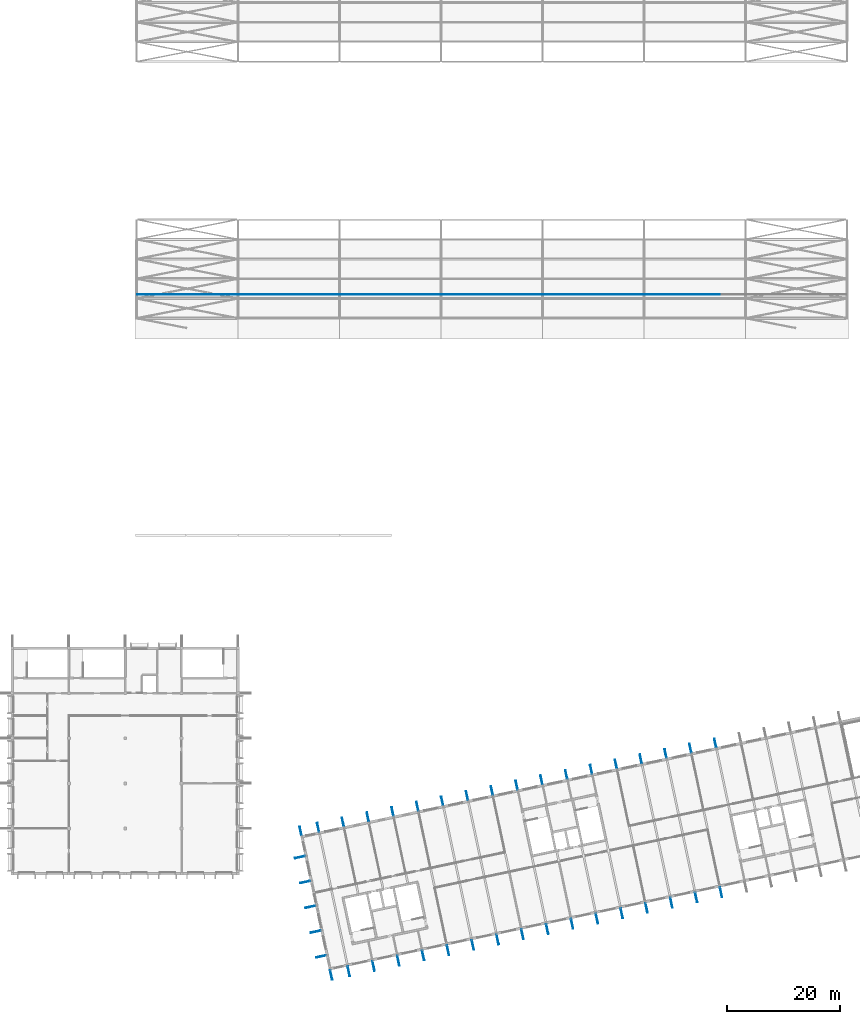
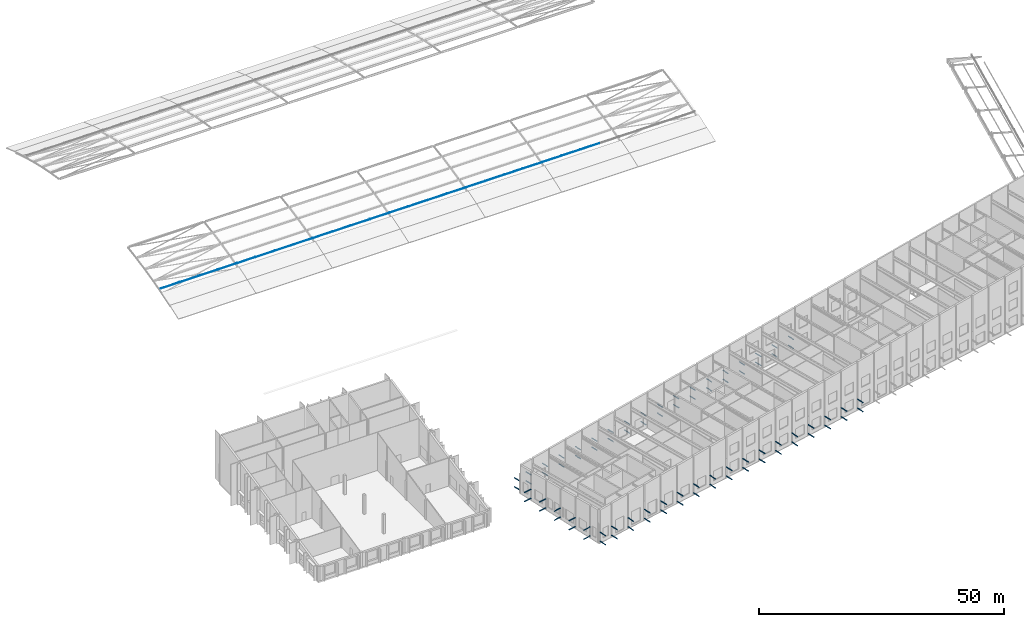
# One storey, part 52 of 69: 103 discrete accessories.
"""IFC4 building model written with IfcOpenShell, lengths in metres."""

from ifc_helpers import new_model, si_unit, direction, frame, origin, origin_2d, place, context, subcontext, project, spatial, polyline, rectangle, outline, extrude, material, material_profile, profile_set, type_object, element, save


model = new_model("IFC4")

# Units and contexts
model_context = context("Model", 3, precision=1e-05, world=origin(), true_north=direction((0.0, 1.0)))
body_context = subcontext(model_context, "Body", "Model", "MODEL_VIEW")
ifc_project = project(units=[si_unit("LENGTHUNIT", "METRE"), si_unit("AREAUNIT", "SQUARE_METRE"), si_unit("VOLUMEUNIT", "CUBIC_METRE"), si_unit("PLANEANGLEUNIT", "RADIAN"), si_unit("MASSUNIT", "GRAM", prefix="KILO")], contexts=[model_context])

# Site, building, storey
site_placement = place(None, origin())
site = spatial("IfcSite", under=ifc_project, at=site_placement, CompositionType="ELEMENT")
building_placement = place(site_placement, origin())
building = spatial("IfcBuilding", under=site, at=building_placement, Name="Okhra Congress Centre", CompositionType="ELEMENT")
storey_placement = place(building_placement, frame((0.0, 0.0, 16.800048828125)))
storey = spatial("IfcBuildingStorey", under=building, at=storey_placement, Name="L03", CompositionType="ELEMENT", Elevation=16.800048828125)

# Discrete accessories
ifc_material_1 = material(Name="Steel S355J2 outrigger, galvanised", Category="steel")
ifc_material_profile = material_profile(ifc_material_1, rectangle(XDim=0.1201171875, YDim=0.1201171875, at=origin_2d()), Name="Screen outrigger bracket 120x120")
ifc_profile_set = profile_set([ifc_material_profile], Name="Steel S355J2 outrigger, galvanised")
discrete_accessory_type_1 = type_object("IfcDiscreteAccessoryType", Name="Screen outrigger bracket 120x120", PredefinedType="BRACKET", material=ifc_profile_set)
for number, where, z_axis, x_axis, name in (
    (1, (62.352783203125, 26.86962890625, 0.510009765625), (0.207885223274, -0.97815322621, 0.0), (0.97815322621, 0.207885223274, 0.0), "Screen outrigger 5"),
    (2, (62.352783203125, 26.86962890625, 2.75), (0.207885223274, -0.97815322621, 0.0), (0.97815322621, 0.207885223274, 0.0), "Screen outrigger 6"),
):
    element("IfcDiscreteAccessory", number, at=place(storey_placement, frame(where, z_axis=z_axis, x_axis=x_axis)), inside=storey, type_object=discrete_accessory_type_1, Name=name, PredefinedType="BRACKET", context=body_context, shape_type="SweptSolid", body=[
        extrude(rectangle(XDim=0.1201171875, YDim=0.1201171875, at=origin_2d()), origin(), (0.0, 0.0, 1.0), 1.76513671875),
    ])
for number, where, z_axis, x_axis, name in (
    (3, (57.271484375, 50.775390625, 0.510009765625), (-0.207952044176, 0.978139022493, 0.0), (-0.978139022493, -0.207952044176, 0.0), "Screen outrigger 13"),
    (4, (57.271484375, 50.775390625, 2.75), (-0.207952044176, 0.978139022493, 0.0), (-0.978139022493, -0.207952044176, 0.0), "Screen outrigger 14"),
):
    element("IfcDiscreteAccessory", number, at=place(storey_placement, frame(where, z_axis=z_axis, x_axis=x_axis)), inside=storey, type_object=discrete_accessory_type_1, Name=name, PredefinedType="BRACKET", context=body_context, shape_type="SweptSolid", body=[
        extrude(rectangle(XDim=0.1201171875, YDim=0.1201171875, at=origin_2d()), origin(), (0.0, 0.0, 1.0), 1.56494140625),
    ])
for number, where, z_axis, x_axis, name in (
    (5, (65.45849609375, 27.529541015625, 0.510009765625), (0.207913352163, -0.978147247602, 0.0), (0.978147247602, 0.207913352163, 0.0), "Screen outrigger 20"),
    (6, (65.45849609375, 27.529541015625, 2.75), (0.207913352163, -0.978147247602, 0.0), (0.978147247602, 0.207913352163, 0.0), "Screen outrigger 21"),
):
    element("IfcDiscreteAccessory", number, at=place(storey_placement, frame(where, z_axis=z_axis, x_axis=x_axis)), inside=storey, type_object=discrete_accessory_type_1, Name=name, PredefinedType="BRACKET", context=body_context, shape_type="SweptSolid", body=[
        extrude(rectangle(XDim=0.1201171875, YDim=0.1201171875, at=origin_2d()), origin(), (0.0, 0.0, 1.0), 1.764892578125),
    ])
for number, where, z_axis, x_axis, name in (
    (7, (60.376953125, 51.435546875, 0.510009765625), (-0.207802780084, 0.978170744088, 0.0), (-0.978170744088, -0.207802780084, 0.0), "Screen outrigger 28"),
    (8, (60.376953125, 51.435546875, 2.75), (-0.207802780084, 0.978170744088, 0.0), (-0.978170744088, -0.207802780084, 0.0), "Screen outrigger 29"),
):
    element("IfcDiscreteAccessory", number, at=place(storey_placement, frame(where, z_axis=z_axis, x_axis=x_axis)), inside=storey, type_object=discrete_accessory_type_1, Name=name, PredefinedType="BRACKET", context=body_context, shape_type="SweptSolid", body=[
        extrude(rectangle(XDim=0.1201171875, YDim=0.1201171875, at=origin_2d()), origin(), (0.0, 0.0, 1.0), 1.56494140625),
    ])
for number, where, z_axis, x_axis, name in (
    (9, (69.860107421875, 28.46533203125, 0.510009765625), (0.207885223274, -0.97815322621, 0.0), (0.97815322621, 0.207885223274, 0.0), "Screen outrigger 35"),
    (10, (69.860107421875, 28.46533203125, 2.75), (0.207885223274, -0.97815322621, 0.0), (0.97815322621, 0.207885223274, 0.0), "Screen outrigger 36"),
):
    element("IfcDiscreteAccessory", number, at=place(storey_placement, frame(where, z_axis=z_axis, x_axis=x_axis)), inside=storey, type_object=discrete_accessory_type_1, Name=name, PredefinedType="BRACKET", context=body_context, shape_type="SweptSolid", body=[
        extrude(rectangle(XDim=0.1201171875, YDim=0.1201171875, at=origin_2d()), origin(), (0.0, 0.0, 1.0), 1.76513671875),
    ])
for number, where, z_axis, x_axis, name in (
    (11, (64.77880859375, 52.37109375, 0.510009765625), (-0.207920316953, 0.978145767152, 0.0), (-0.978145767152, -0.207920316953, 0.0), "Screen outrigger 43"),
    (12, (64.77880859375, 52.37109375, 2.75), (-0.207920316953, 0.978145767152, 0.0), (-0.978145767152, -0.207920316953, 0.0), "Screen outrigger 44"),
):
    element("IfcDiscreteAccessory", number, at=place(storey_placement, frame(where, z_axis=z_axis, x_axis=x_axis)), inside=storey, type_object=discrete_accessory_type_1, Name=name, PredefinedType="BRACKET", context=body_context, shape_type="SweptSolid", body=[
        extrude(rectangle(XDim=0.1201171875, YDim=0.1201171875, at=origin_2d()), origin(), (0.0, 0.0, 1.0), 1.565185546875),
    ])
for number, where, z_axis, x_axis, name in (
    (13, (74.26171875, 29.40087890625, 0.510009765625), (0.207885223274, -0.97815322621, 0.0), (0.97815322621, 0.207885223274, 0.0), "Screen outrigger 50"),
    (14, (74.26171875, 29.40087890625, 2.75), (0.207885223274, -0.97815322621, 0.0), (0.97815322621, 0.207885223274, 0.0), "Screen outrigger 51"),
):
    element("IfcDiscreteAccessory", number, at=place(storey_placement, frame(where, z_axis=z_axis, x_axis=x_axis)), inside=storey, type_object=discrete_accessory_type_1, Name=name, PredefinedType="BRACKET", context=body_context, shape_type="SweptSolid", body=[
        extrude(rectangle(XDim=0.1201171875, YDim=0.1201171875, at=origin_2d()), origin(), (0.0, 0.0, 1.0), 1.76513671875),
    ])
for number, where, z_axis, x_axis, name in (
    (15, (69.180419921875, 53.306884765625, 0.510009765625), (-0.207952044176, 0.978139022493, 0.0), (-0.978139022493, -0.207952044176, 0.0), "Screen outrigger 58"),
    (16, (69.180419921875, 53.306884765625, 2.75), (-0.207952044176, 0.978139022493, 0.0), (-0.978139022493, -0.207952044176, 0.0), "Screen outrigger 59"),
):
    element("IfcDiscreteAccessory", number, at=place(storey_placement, frame(where, z_axis=z_axis, x_axis=x_axis)), inside=storey, type_object=discrete_accessory_type_1, Name=name, PredefinedType="BRACKET", context=body_context, shape_type="SweptSolid", body=[
        extrude(rectangle(XDim=0.1201171875, YDim=0.1201171875, at=origin_2d()), origin(), (0.0, 0.0, 1.0), 1.56494140625),
    ])
for number, where, z_axis, x_axis, name in (
    (17, (78.663330078125, 30.33642578125, 0.510009765625), (0.207913352163, -0.978147247602, 0.0), (0.978147247602, 0.207913352163, 0.0), "Screen outrigger 65"),
    (18, (78.663330078125, 30.33642578125, 2.75), (0.207913352163, -0.978147247602, 0.0), (0.978147247602, 0.207913352163, 0.0), "Screen outrigger 66"),
):
    element("IfcDiscreteAccessory", number, at=place(storey_placement, frame(where, z_axis=z_axis, x_axis=x_axis)), inside=storey, type_object=discrete_accessory_type_1, Name=name, PredefinedType="BRACKET", context=body_context, shape_type="SweptSolid", body=[
        extrude(rectangle(XDim=0.1201171875, YDim=0.1201171875, at=origin_2d()), origin(), (0.0, 0.0, 1.0), 1.764892578125),
    ])
for number, where, z_axis, x_axis, name in (
    (19, (73.58203125, 54.242431640625, 0.510009765625), (-0.207952044176, 0.978139022493, 0.0), (-0.978139022493, -0.207952044176, 0.0), "Screen outrigger 73"),
    (20, (73.58203125, 54.242431640625, 2.75), (-0.207952044176, 0.978139022493, 0.0), (-0.978139022493, -0.207952044176, 0.0), "Screen outrigger 74"),
):
    element("IfcDiscreteAccessory", number, at=place(storey_placement, frame(where, z_axis=z_axis, x_axis=x_axis)), inside=storey, type_object=discrete_accessory_type_1, Name=name, PredefinedType="BRACKET", context=body_context, shape_type="SweptSolid", body=[
        extrude(rectangle(XDim=0.1201171875, YDim=0.1201171875, at=origin_2d()), origin(), (0.0, 0.0, 1.0), 1.56494140625),
    ])
for number, where, z_axis, x_axis, name in (
    (21, (83.06494140625, 31.27197265625, 0.510009765625), (0.208045698869, -0.978119106849, 0.0), (0.978119106849, 0.208045698869, 0.0), "Screen outrigger 80"),
    (22, (83.06494140625, 31.27197265625, 2.75), (0.208045698869, -0.978119106849, 0.0), (0.978119106849, 0.208045698869, 0.0), "Screen outrigger 81"),
):
    element("IfcDiscreteAccessory", number, at=place(storey_placement, frame(where, z_axis=z_axis, x_axis=x_axis)), inside=storey, type_object=discrete_accessory_type_1, Name=name, PredefinedType="BRACKET", context=body_context, shape_type="SweptSolid", body=[
        extrude(rectangle(XDim=0.1201171875, YDim=0.1201171875, at=origin_2d()), origin(), (0.0, 0.0, 1.0), 1.764892578125),
    ])
for number, where, z_axis, x_axis, name in (
    (23, (77.983642578125, 55.177978515625, 0.510009765625), (-0.207952044176, 0.978139022493, 0.0), (-0.978139022493, -0.207952044176, 0.0), "Screen outrigger 88"),
    (24, (77.983642578125, 55.177978515625, 2.75), (-0.207952044176, 0.978139022493, 0.0), (-0.978139022493, -0.207952044176, 0.0), "Screen outrigger 89"),
):
    element("IfcDiscreteAccessory", number, at=place(storey_placement, frame(where, z_axis=z_axis, x_axis=x_axis)), inside=storey, type_object=discrete_accessory_type_1, Name=name, PredefinedType="BRACKET", context=body_context, shape_type="SweptSolid", body=[
        extrude(rectangle(XDim=0.1201171875, YDim=0.1201171875, at=origin_2d()), origin(), (0.0, 0.0, 1.0), 1.56494140625),
    ])
for number, where, z_axis, x_axis, name in (
    (25, (87.466796875, 32.207763671875, 0.510009765625), (0.207885223274, -0.97815322621, 0.0), (0.97815322621, 0.207885223274, 0.0), "Screen outrigger 96"),
    (26, (87.466796875, 32.207763671875, 2.75), (0.207885223274, -0.97815322621, 0.0), (0.97815322621, 0.207885223274, 0.0), "Screen outrigger 97"),
):
    element("IfcDiscreteAccessory", number, at=place(storey_placement, frame(where, z_axis=z_axis, x_axis=x_axis)), inside=storey, type_object=discrete_accessory_type_1, Name=name, PredefinedType="BRACKET", context=body_context, shape_type="SweptSolid", body=[
        extrude(rectangle(XDim=0.1201171875, YDim=0.1201171875, at=origin_2d()), origin(), (0.0, 0.0, 1.0), 1.76513671875),
    ])
for number, where, z_axis, x_axis, name in (
    (27, (82.38525390625, 56.113525390625, 0.510009765625), (-0.207802780084, 0.978170744088, 0.0), (-0.978170744088, -0.207802780084, 0.0), "Screen outrigger 104"),
    (28, (82.38525390625, 56.113525390625, 2.75), (-0.207802780084, 0.978170744088, 0.0), (-0.978170744088, -0.207802780084, 0.0), "Screen outrigger 105"),
):
    element("IfcDiscreteAccessory", number, at=place(storey_placement, frame(where, z_axis=z_axis, x_axis=x_axis)), inside=storey, type_object=discrete_accessory_type_1, Name=name, PredefinedType="BRACKET", context=body_context, shape_type="SweptSolid", body=[
        extrude(rectangle(XDim=0.1201171875, YDim=0.1201171875, at=origin_2d()), origin(), (0.0, 0.0, 1.0), 1.56494140625),
    ])
for number, where, z_axis, x_axis, name in (
    (29, (91.868408203125, 33.143310546875, 0.510009765625), (0.207885223274, -0.97815322621, 0.0), (0.97815322621, 0.207885223274, 0.0), "Screen outrigger 112"),
    (30, (91.868408203125, 33.143310546875, 2.75), (0.207885223274, -0.97815322621, 0.0), (0.97815322621, 0.207885223274, 0.0), "Screen outrigger 113"),
):
    element("IfcDiscreteAccessory", number, at=place(storey_placement, frame(where, z_axis=z_axis, x_axis=x_axis)), inside=storey, type_object=discrete_accessory_type_1, Name=name, PredefinedType="BRACKET", context=body_context, shape_type="SweptSolid", body=[
        extrude(rectangle(XDim=0.1201171875, YDim=0.1201171875, at=origin_2d()), origin(), (0.0, 0.0, 1.0), 1.76513671875),
    ])
for number, where, z_axis, x_axis, name in (
    (31, (86.787109375, 57.049072265625, 0.510009765625), (-0.207920316953, 0.978145767152, 0.0), (-0.978145767152, -0.207920316953, 0.0), "Screen outrigger 120"),
    (32, (86.787109375, 57.049072265625, 2.75), (-0.207920316953, 0.978145767152, 0.0), (-0.978145767152, -0.207920316953, 0.0), "Screen outrigger 121"),
):
    element("IfcDiscreteAccessory", number, at=place(storey_placement, frame(where, z_axis=z_axis, x_axis=x_axis)), inside=storey, type_object=discrete_accessory_type_1, Name=name, PredefinedType="BRACKET", context=body_context, shape_type="SweptSolid", body=[
        extrude(rectangle(XDim=0.1201171875, YDim=0.1201171875, at=origin_2d()), origin(), (0.0, 0.0, 1.0), 1.565185546875),
    ])
for number, where, z_axis, x_axis, name in (
    (33, (96.27001953125, 34.078857421875, 0.510009765625), (0.207913352163, -0.978147247602, 0.0), (0.978147247602, 0.207913352163, 0.0), "Screen outrigger 128"),
    (34, (96.27001953125, 34.078857421875, 2.75), (0.207913352163, -0.978147247602, 0.0), (0.978147247602, 0.207913352163, 0.0), "Screen outrigger 129"),
):
    element("IfcDiscreteAccessory", number, at=place(storey_placement, frame(where, z_axis=z_axis, x_axis=x_axis)), inside=storey, type_object=discrete_accessory_type_1, Name=name, PredefinedType="BRACKET", context=body_context, shape_type="SweptSolid", body=[
        extrude(rectangle(XDim=0.1201171875, YDim=0.1201171875, at=origin_2d()), origin(), (0.0, 0.0, 1.0), 1.764892578125),
    ])
for number, where, z_axis, x_axis, name in (
    (35, (91.188720703125, 57.98486328125, 0.510009765625), (-0.207952044176, 0.978139022493, 0.0), (-0.978139022493, -0.207952044176, 0.0), "Screen outrigger 136"),
    (36, (91.188720703125, 57.98486328125, 2.75), (-0.207952044176, 0.978139022493, 0.0), (-0.978139022493, -0.207952044176, 0.0), "Screen outrigger 137"),
):
    element("IfcDiscreteAccessory", number, at=place(storey_placement, frame(where, z_axis=z_axis, x_axis=x_axis)), inside=storey, type_object=discrete_accessory_type_1, Name=name, PredefinedType="BRACKET", context=body_context, shape_type="SweptSolid", body=[
        extrude(rectangle(XDim=0.1201171875, YDim=0.1201171875, at=origin_2d()), origin(), (0.0, 0.0, 1.0), 1.56494140625),
    ])
for number, where, z_axis, x_axis, name in (
    (37, (100.671630859375, 35.014404296875, 0.510009765625), (0.207913352163, -0.978147247602, 0.0), (0.978147247602, 0.207913352163, 0.0), "Screen outrigger 144"),
    (38, (100.671630859375, 35.014404296875, 2.75), (0.207913352163, -0.978147247602, 0.0), (0.978147247602, 0.207913352163, 0.0), "Screen outrigger 145"),
):
    element("IfcDiscreteAccessory", number, at=place(storey_placement, frame(where, z_axis=z_axis, x_axis=x_axis)), inside=storey, type_object=discrete_accessory_type_1, Name=name, PredefinedType="BRACKET", context=body_context, shape_type="SweptSolid", body=[
        extrude(rectangle(XDim=0.1201171875, YDim=0.1201171875, at=origin_2d()), origin(), (0.0, 0.0, 1.0), 1.764892578125),
    ])
for number, where, z_axis, x_axis, name in (
    (39, (95.59033203125, 58.92041015625, 0.510009765625), (-0.207952044176, 0.978139022493, 0.0), (-0.978139022493, -0.207952044176, 0.0), "Screen outrigger 153"),
    (40, (95.59033203125, 58.92041015625, 2.75), (-0.207952044176, 0.978139022493, 0.0), (-0.978139022493, -0.207952044176, 0.0), "Screen outrigger 154"),
):
    element("IfcDiscreteAccessory", number, at=place(storey_placement, frame(where, z_axis=z_axis, x_axis=x_axis)), inside=storey, type_object=discrete_accessory_type_1, Name=name, PredefinedType="BRACKET", context=body_context, shape_type="SweptSolid", body=[
        extrude(rectangle(XDim=0.1201171875, YDim=0.1201171875, at=origin_2d()), origin(), (0.0, 0.0, 1.0), 1.56494140625),
    ])
for number, where, z_axis, x_axis, name in (
    (41, (105.073486328125, 35.949951171875, 0.510009765625), (0.207913352163, -0.978147247602, 0.0), (0.978147247602, 0.207913352163, 0.0), "Screen outrigger 161"),
    (42, (105.073486328125, 35.949951171875, 2.75), (0.207913352163, -0.978147247602, 0.0), (0.978147247602, 0.207913352163, 0.0), "Screen outrigger 162"),
):
    element("IfcDiscreteAccessory", number, at=place(storey_placement, frame(where, z_axis=z_axis, x_axis=x_axis)), inside=storey, type_object=discrete_accessory_type_1, Name=name, PredefinedType="BRACKET", context=body_context, shape_type="SweptSolid", body=[
        extrude(rectangle(XDim=0.1201171875, YDim=0.1201171875, at=origin_2d()), origin(), (0.0, 0.0, 1.0), 1.764892578125),
    ])
for number, where, z_axis, x_axis, name in (
    (43, (99.991943359375, 59.85595703125, 0.510009765625), (-0.207802780084, 0.978170744088, 0.0), (-0.978170744088, -0.207802780084, 0.0), "Screen outrigger 170"),
    (44, (99.991943359375, 59.85595703125, 2.75), (-0.207802780084, 0.978170744088, 0.0), (-0.978170744088, -0.207802780084, 0.0), "Screen outrigger 171"),
):
    element("IfcDiscreteAccessory", number, at=place(storey_placement, frame(where, z_axis=z_axis, x_axis=x_axis)), inside=storey, type_object=discrete_accessory_type_1, Name=name, PredefinedType="BRACKET", context=body_context, shape_type="SweptSolid", body=[
        extrude(rectangle(XDim=0.1201171875, YDim=0.1201171875, at=origin_2d()), origin(), (0.0, 0.0, 1.0), 1.56494140625),
    ])
for number, where, z_axis, x_axis, name in (
    (45, (109.47509765625, 36.8857421875, 0.510009765625), (0.207885223274, -0.97815322621, 0.0), (0.97815322621, 0.207885223274, 0.0), "Screen outrigger 178"),
    (46, (109.47509765625, 36.8857421875, 2.75), (0.207885223274, -0.97815322621, 0.0), (0.97815322621, 0.207885223274, 0.0), "Screen outrigger 179"),
):
    element("IfcDiscreteAccessory", number, at=place(storey_placement, frame(where, z_axis=z_axis, x_axis=x_axis)), inside=storey, type_object=discrete_accessory_type_1, Name=name, PredefinedType="BRACKET", context=body_context, shape_type="SweptSolid", body=[
        extrude(rectangle(XDim=0.1201171875, YDim=0.1201171875, at=origin_2d()), origin(), (0.0, 0.0, 1.0), 1.76513671875),
    ])
for number, where, z_axis, x_axis, name in (
    (47, (104.3935546875, 60.79150390625, 0.510009765625), (-0.207771073578, 0.978177479287, 0.0), (-0.978177479287, -0.207771073578, 0.0), "Screen outrigger 187"),
    (48, (104.3935546875, 60.79150390625, 2.75), (-0.207771073578, 0.978177479287, 0.0), (-0.978177479287, -0.207771073578, 0.0), "Screen outrigger 188"),
):
    element("IfcDiscreteAccessory", number, at=place(storey_placement, frame(where, z_axis=z_axis, x_axis=x_axis)), inside=storey, type_object=discrete_accessory_type_1, Name=name, PredefinedType="BRACKET", context=body_context, shape_type="SweptSolid", body=[
        extrude(rectangle(XDim=0.1201171875, YDim=0.1201171875, at=origin_2d()), origin(), (0.0, 0.0, 1.0), 1.565185546875),
    ])
for number, where, z_axis, x_axis, name in (
    (49, (113.876708984375, 37.8212890625, 0.510009765625), (0.207885223274, -0.97815322621, 0.0), (0.97815322621, 0.207885223274, 0.0), "Screen outrigger 195"),
    (50, (113.876708984375, 37.8212890625, 2.75), (0.207885223274, -0.97815322621, 0.0), (0.97815322621, 0.207885223274, 0.0), "Screen outrigger 196"),
):
    element("IfcDiscreteAccessory", number, at=place(storey_placement, frame(where, z_axis=z_axis, x_axis=x_axis)), inside=storey, type_object=discrete_accessory_type_1, Name=name, PredefinedType="BRACKET", context=body_context, shape_type="SweptSolid", body=[
        extrude(rectangle(XDim=0.1201171875, YDim=0.1201171875, at=origin_2d()), origin(), (0.0, 0.0, 1.0), 1.76513671875),
    ])
for number, where, z_axis, x_axis, name in (
    (51, (108.79541015625, 61.727294921875, 0.510009765625), (-0.207952044176, 0.978139022493, 0.0), (-0.978139022493, -0.207952044176, 0.0), "Screen outrigger 204"),
    (52, (108.79541015625, 61.727294921875, 2.75), (-0.207952044176, 0.978139022493, 0.0), (-0.978139022493, -0.207952044176, 0.0), "Screen outrigger 205"),
):
    element("IfcDiscreteAccessory", number, at=place(storey_placement, frame(where, z_axis=z_axis, x_axis=x_axis)), inside=storey, type_object=discrete_accessory_type_1, Name=name, PredefinedType="BRACKET", context=body_context, shape_type="SweptSolid", body=[
        extrude(rectangle(XDim=0.1201171875, YDim=0.1201171875, at=origin_2d()), origin(), (0.0, 0.0, 1.0), 1.56494140625),
    ])
for number, where, z_axis, x_axis, name in (
    (53, (118.2783203125, 38.7568359375, 0.510009765625), (0.207913352163, -0.978147247602, 0.0), (0.978147247602, 0.207913352163, 0.0), "Screen outrigger 212"),
    (54, (118.2783203125, 38.7568359375, 2.75), (0.207913352163, -0.978147247602, 0.0), (0.978147247602, 0.207913352163, 0.0), "Screen outrigger 213"),
):
    element("IfcDiscreteAccessory", number, at=place(storey_placement, frame(where, z_axis=z_axis, x_axis=x_axis)), inside=storey, type_object=discrete_accessory_type_1, Name=name, PredefinedType="BRACKET", context=body_context, shape_type="SweptSolid", body=[
        extrude(rectangle(XDim=0.1201171875, YDim=0.1201171875, at=origin_2d()), origin(), (0.0, 0.0, 1.0), 1.764892578125),
    ])
for number, where, z_axis, x_axis, name in (
    (55, (113.197021484375, 62.662841796875, 0.510009765625), (-0.207952044176, 0.978139022493, 0.0), (-0.978139022493, -0.207952044176, 0.0), "Screen outrigger 221"),
    (56, (113.197021484375, 62.662841796875, 2.75), (-0.207952044176, 0.978139022493, 0.0), (-0.978139022493, -0.207952044176, 0.0), "Screen outrigger 222"),
):
    element("IfcDiscreteAccessory", number, at=place(storey_placement, frame(where, z_axis=z_axis, x_axis=x_axis)), inside=storey, type_object=discrete_accessory_type_1, Name=name, PredefinedType="BRACKET", context=body_context, shape_type="SweptSolid", body=[
        extrude(rectangle(XDim=0.1201171875, YDim=0.1201171875, at=origin_2d()), origin(), (0.0, 0.0, 1.0), 1.56494140625),
    ])
for number, where, z_axis, x_axis, name in (
    (57, (122.679931640625, 39.6923828125, 0.510009765625), (0.207913352163, -0.978147247602, 0.0), (0.978147247602, 0.207913352163, 0.0), "Screen outrigger 229"),
    (58, (122.679931640625, 39.6923828125, 2.75), (0.207913352163, -0.978147247602, 0.0), (0.978147247602, 0.207913352163, 0.0), "Screen outrigger 230"),
):
    element("IfcDiscreteAccessory", number, at=place(storey_placement, frame(where, z_axis=z_axis, x_axis=x_axis)), inside=storey, type_object=discrete_accessory_type_1, Name=name, PredefinedType="BRACKET", context=body_context, shape_type="SweptSolid", body=[
        extrude(rectangle(XDim=0.1201171875, YDim=0.1201171875, at=origin_2d()), origin(), (0.0, 0.0, 1.0), 1.764892578125),
    ])
for number, where, z_axis, x_axis, name in (
    (59, (117.5986328125, 63.598388671875, 0.510009765625), (-0.207952044176, 0.978139022493, 0.0), (-0.978139022493, -0.207952044176, 0.0), "Screen outrigger 238"),
    (60, (117.5986328125, 63.598388671875, 2.75), (-0.207952044176, 0.978139022493, 0.0), (-0.978139022493, -0.207952044176, 0.0), "Screen outrigger 239"),
):
    element("IfcDiscreteAccessory", number, at=place(storey_placement, frame(where, z_axis=z_axis, x_axis=x_axis)), inside=storey, type_object=discrete_accessory_type_1, Name=name, PredefinedType="BRACKET", context=body_context, shape_type="SweptSolid", body=[
        extrude(rectangle(XDim=0.1201171875, YDim=0.1201171875, at=origin_2d()), origin(), (0.0, 0.0, 1.0), 1.56494140625),
    ])
for number, where, z_axis, x_axis, name in (
    (61, (127.081787109375, 40.628173828125, 0.510009765625), (0.207885223274, -0.97815322621, 0.0), (0.97815322621, 0.207885223274, 0.0), "Screen outrigger 247"),
    (62, (127.081787109375, 40.628173828125, 2.75), (0.207885223274, -0.97815322621, 0.0), (0.97815322621, 0.207885223274, 0.0), "Screen outrigger 248"),
):
    element("IfcDiscreteAccessory", number, at=place(storey_placement, frame(where, z_axis=z_axis, x_axis=x_axis)), inside=storey, type_object=discrete_accessory_type_1, Name=name, PredefinedType="BRACKET", context=body_context, shape_type="SweptSolid", body=[
        extrude(rectangle(XDim=0.1201171875, YDim=0.1201171875, at=origin_2d()), origin(), (0.0, 0.0, 1.0), 1.76513671875),
    ])
for number, where, z_axis, x_axis, name in (
    (63, (122.000244140625, 64.533935546875, 0.510009765625), (-0.207802780084, 0.978170744088, 0.0), (-0.978170744088, -0.207802780084, 0.0), "Screen outrigger 256"),
    (64, (122.000244140625, 64.533935546875, 2.75), (-0.207802780084, 0.978170744088, 0.0), (-0.978170744088, -0.207802780084, 0.0), "Screen outrigger 257"),
):
    element("IfcDiscreteAccessory", number, at=place(storey_placement, frame(where, z_axis=z_axis, x_axis=x_axis)), inside=storey, type_object=discrete_accessory_type_1, Name=name, PredefinedType="BRACKET", context=body_context, shape_type="SweptSolid", body=[
        extrude(rectangle(XDim=0.1201171875, YDim=0.1201171875, at=origin_2d()), origin(), (0.0, 0.0, 1.0), 1.56494140625),
    ])
for number, where, z_axis, x_axis, name in (
    (65, (131.4833984375, 41.563720703125, 0.510009765625), (0.207885223274, -0.97815322621, 0.0), (0.97815322621, 0.207885223274, 0.0), "Screen outrigger 265"),
    (66, (131.4833984375, 41.563720703125, 2.75), (0.207885223274, -0.97815322621, 0.0), (0.97815322621, 0.207885223274, 0.0), "Screen outrigger 266"),
):
    element("IfcDiscreteAccessory", number, at=place(storey_placement, frame(where, z_axis=z_axis, x_axis=x_axis)), inside=storey, type_object=discrete_accessory_type_1, Name=name, PredefinedType="BRACKET", context=body_context, shape_type="SweptSolid", body=[
        extrude(rectangle(XDim=0.1201171875, YDim=0.1201171875, at=origin_2d()), origin(), (0.0, 0.0, 1.0), 1.76513671875),
    ])
for number, where, z_axis, x_axis, name in (
    (67, (126.402099609375, 65.4697265625, 0.510009765625), (-0.207952044176, 0.978139022493, 0.0), (-0.978139022493, -0.207952044176, 0.0), "Screen outrigger 274"),
    (68, (126.402099609375, 65.4697265625, 2.75), (-0.207952044176, 0.978139022493, 0.0), (-0.978139022493, -0.207952044176, 0.0), "Screen outrigger 275"),
    (69, (130.8037109375, 66.4052734375, 0.510009765625), (-0.207952044176, 0.978139022493, 0.0), (-0.978139022493, -0.207952044176, 0.0), "Screen outrigger 292"),
    (70, (130.8037109375, 66.4052734375, 2.75), (-0.207952044176, 0.978139022493, 0.0), (-0.978139022493, -0.207952044176, 0.0), "Screen outrigger 293"),
):
    element("IfcDiscreteAccessory", number, at=place(storey_placement, frame(where, z_axis=z_axis, x_axis=x_axis)), inside=storey, type_object=discrete_accessory_type_1, Name=name, PredefinedType="BRACKET", context=body_context, shape_type="SweptSolid", body=[
        extrude(rectangle(XDim=0.1201171875, YDim=0.1201171875, at=origin_2d()), origin(), (0.0, 0.0, 1.0), 1.56494140625),
    ])
for number, where, z_axis, x_axis, name in (
    (71, (61.572998046875, 29.4794921875, 0.510009765625), (-0.978147247602, -0.207913352163, 0.0), (0.207913352163, -0.978147247602, 0.0), "Screen outrigger 686"),
    (72, (61.572998046875, 29.4794921875, 2.75), (-0.978147247602, -0.207913352163, 0.0), (0.207913352163, -0.978147247602, 0.0), "Screen outrigger 687"),
    (73, (60.637451171875, 33.881103515625, 0.510009765625), (-0.978147247602, -0.207913352163, 0.0), (0.207913352163, -0.978147247602, 0.0), "Screen outrigger 705"),
    (74, (60.637451171875, 33.881103515625, 2.75), (-0.978147247602, -0.207913352163, 0.0), (0.207913352163, -0.978147247602, 0.0), "Screen outrigger 706"),
    (75, (59.701904296875, 38.28271484375, 0.510009765625), (-0.978147247602, -0.207913352163, 0.0), (0.207913352163, -0.978147247602, 0.0), "Screen outrigger 723"),
    (76, (59.701904296875, 38.28271484375, 2.75), (-0.978147247602, -0.207913352163, 0.0), (0.207913352163, -0.978147247602, 0.0), "Screen outrigger 724"),
):
    element("IfcDiscreteAccessory", number, at=place(storey_placement, frame(where, z_axis=z_axis, x_axis=x_axis)), inside=storey, type_object=discrete_accessory_type_1, Name=name, PredefinedType="BRACKET", context=body_context, shape_type="SweptSolid", body=[
        extrude(rectangle(XDim=0.1201171875, YDim=0.1201171875, at=origin_2d()), origin(), (0.0, 0.0, 1.0), 1.764892578125),
    ])
for number, where, z_axis, x_axis, name in (
    (77, (58.766357421875, 42.6845703125, 0.510009765625), (-0.978125092897, -0.208017553693, 0.0), (0.208017553693, -0.978125092897, 0.0), "Screen outrigger 741"),
    (78, (58.766357421875, 42.6845703125, 2.75), (-0.978125092897, -0.208017553693, 0.0), (0.208017553693, -0.978125092897, 0.0), "Screen outrigger 742"),
    (79, (57.830810546875, 47.086181640625, 0.510009765625), (-0.97815322621, -0.207885223274, 0.0), (0.207885223274, -0.97815322621, 0.0), "Screen outrigger 759"),
    (80, (57.830810546875, 47.086181640625, 2.75), (-0.97815322621, -0.207885223274, 0.0), (0.207885223274, -0.97815322621, 0.0), "Screen outrigger 760"),
):
    element("IfcDiscreteAccessory", number, at=place(storey_placement, frame(where, z_axis=z_axis, x_axis=x_axis)), inside=storey, type_object=discrete_accessory_type_1, Name=name, PredefinedType="BRACKET", context=body_context, shape_type="SweptSolid", body=[
        extrude(rectangle(XDim=0.1201171875, YDim=0.1201171875, at=origin_2d()), origin(), (0.0, 0.0, 1.0), 1.76513671875),
    ])
ifc_material_2 = material(Name="Stainless steel snow retention bar clamped to the roof seams", Category="steel")
discrete_accessory_type_2 = type_object("IfcDiscreteAccessoryType", Name="Snow guard rail 50x120", PredefinedType="USERDEFINED", material=ifc_material_2)
for number, where, z_axis, x_axis, name in (
    (81, (28.10009765625, 146.657958984375, 2.7626953125), (0.0, -0.269104536854, 0.963110974003), (1.0, 0.0, 0.0), "Snow guard rail"),
    (82, (32.60009765625, 146.657958984375, 2.7626953125), (0.0, -0.269104536854, 0.963110974003), (1.0, 0.0, 0.0), "Snow guard rail"),
    (83, (37.10009765625, 146.657958984375, 2.7626953125), (0.0, -0.269104536854, 0.963110974003), (1.0, 0.0, 0.0), "Snow guard rail"),
    (84, (41.60009765625, 146.657958984375, 2.7626953125), (0.0, -0.269104536854, 0.963110974003), (1.0, 0.0, 0.0), "Snow guard rail"),
    (85, (46.10009765625, 146.657958984375, 2.7626953125), (0.0, -0.269104536854, 0.963110974003), (1.0, 0.0, 0.0), "Snow guard rail"),
    (86, (50.60009765625, 146.657958984375, 2.7626953125), (0.0, -0.269104536854, 0.963110974003), (1.0, 0.0, 0.0), "Snow guard rail"),
    (87, (55.10009765625, 146.657958984375, 2.7626953125), (0.0, -0.269104536854, 0.963110974003), (1.0, 0.0, 0.0), "Snow guard rail"),
    (88, (59.60009765625, 146.657958984375, 2.7626953125), (0.0, -0.269104536854, 0.963110974003), (1.0, 0.0, 0.0), "Snow guard rail"),
    (89, (64.10009765625, 146.657958984375, 2.7626953125), (0.0, -0.269104536854, 0.963110974003), (1.0, 0.0, 0.0), "Snow guard rail"),
    (90, (68.60009765625, 146.657958984375, 2.7626953125), (0.0, -0.269104536854, 0.963110974003), (1.0, 0.0, 0.0), "Snow guard rail"),
    (91, (73.10009765625, 146.657958984375, 2.7626953125), (0.0, -0.269104536854, 0.963110974003), (1.0, 0.0, 0.0), "Snow guard rail"),
    (92, (77.60009765625, 146.657958984375, 2.7626953125), (0.0, -0.269104536854, 0.963110974003), (1.0, 0.0, 0.0), "Snow guard rail"),
    (93, (82.10009765625, 146.657958984375, 2.7626953125), (0.0, -0.269104536854, 0.963110974003), (1.0, 0.0, 0.0), "Snow guard rail"),
    (94, (86.60009765625, 146.657958984375, 2.7626953125), (0.0, -0.269104536854, 0.963110974003), (1.0, 0.0, 0.0), "Snow guard rail"),
    (95, (91.10009765625, 146.657958984375, 2.7626953125), (0.0, -0.269104536854, 0.963110974003), (1.0, 0.0, 0.0), "Snow guard rail"),
    (96, (95.60009765625, 146.657958984375, 2.7626953125), (0.0, -0.269104536854, 0.963110974003), (1.0, 0.0, 0.0), "Snow guard rail"),
    (97, (100.10009765625, 146.657958984375, 2.7626953125), (0.0, -0.269104536854, 0.963110974003), (1.0, 0.0, 0.0), "Snow guard rail"),
    (98, (104.60009765625, 146.657958984375, 2.7626953125), (0.0, -0.269104536854, 0.963110974003), (1.0, 0.0, 0.0), "Snow guard rail"),
    (99, (109.10009765625, 146.657958984375, 2.7626953125), (0.0, -0.269104536854, 0.963110974003), (1.0, 0.0, 0.0), "Snow guard rail"),
    (100, (113.60009765625, 146.657958984375, 2.7626953125), (0.0, -0.269104536854, 0.963110974003), (1.0, 0.0, 0.0), "Snow guard rail"),
    (101, (118.10009765625, 146.657958984375, 2.7626953125), (0.0, -0.269104536854, 0.963110974003), (1.0, 0.0, 0.0), "Snow guard rail"),
    (102, (122.60009765625, 146.657958984375, 2.7626953125), (0.0, -0.269104536854, 0.963110974003), (1.0, 0.0, 0.0), "Snow guard rail"),
    (103, (127.10009765625, 146.657958984375, 2.7626953125), (0.0, -0.269104536854, 0.963110974003), (1.0, 0.0, 0.0), "Snow guard rail"),
):
    element("IfcDiscreteAccessory", number, at=place(storey_placement, frame(where, z_axis=z_axis, x_axis=x_axis)), inside=storey, type_object=discrete_accessory_type_2, Name=name, ObjectType="SNOW GUARD", PredefinedType="USERDEFINED", context=body_context, shape_type="SweptSolid", body=[
        extrude(outline(polyline([(0.0, 0.0), (4.2998046875, 0.0), (4.2998046875, 0.05171230402764801), (0.0, 0.05171230402764801), (0.0, 0.0)])), origin(), (0.0, 0.0, -1.0), 0.1201171875),
    ])

save(model, "model.ifc")
